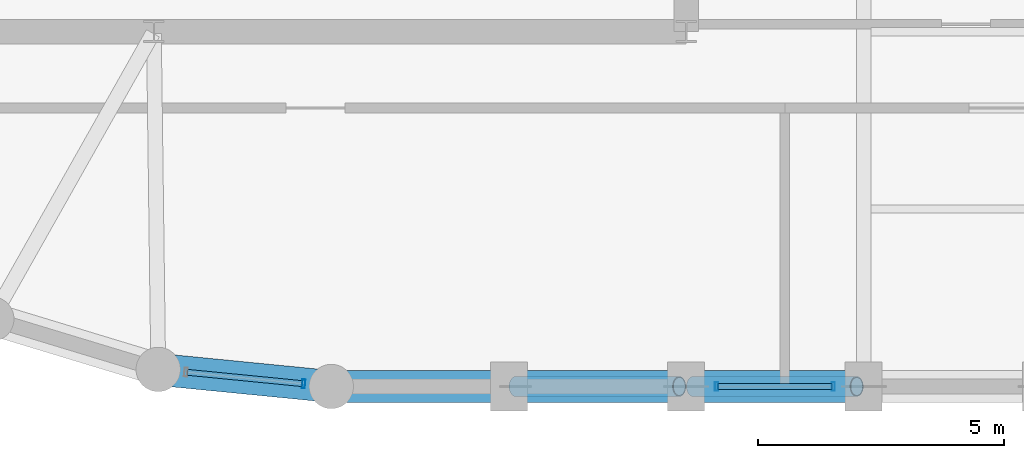
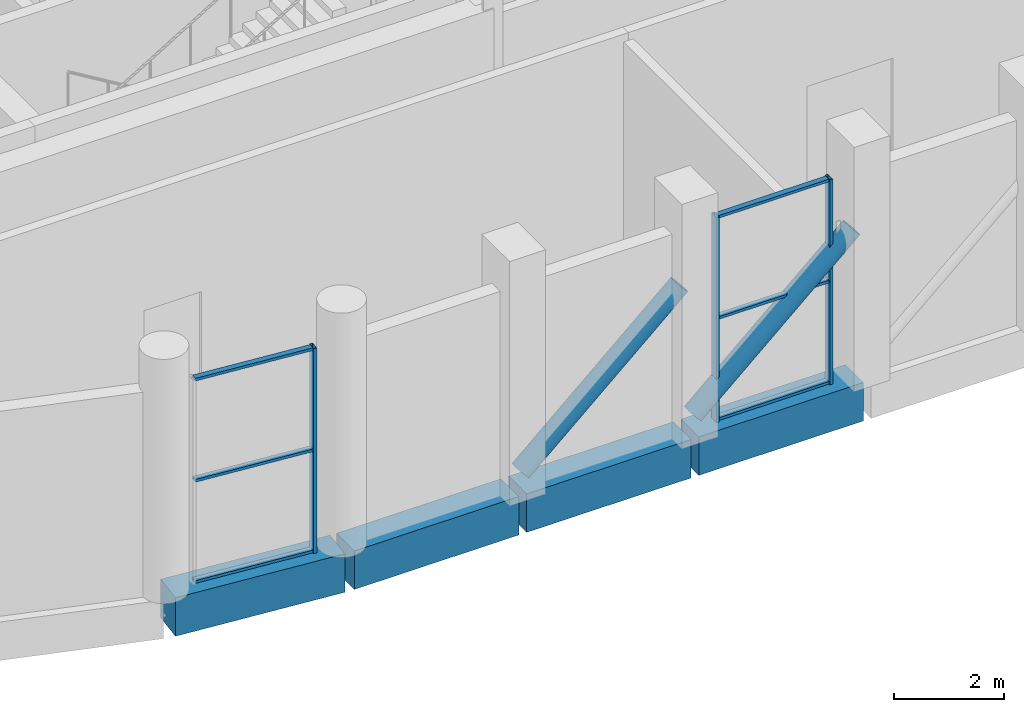
# One storey, part 4 of 19: 11 members, 4 beams, 2 elements without a shape of their own.
"""IFC4 building model written with IfcOpenShell, lengths in metres."""

from ifc_helpers import new_model, si_unit, direction, frame, origin, origin_2d, place, context, subcontext, project, spatial, rectangle, hollow_rectangle, hollow_circle, extrude, material, layer, layer_set, material_profile, profile_set, type_object, element, aggregate, save


model = new_model("IFC4")

# Units and contexts
model_context = context("Model", 3, precision=1e-05, world=origin(), true_north=direction((0.0, 1.0)))
body_context = subcontext(model_context, "Body", "Model", "MODEL_VIEW")
ifc_project = project(units=[si_unit("LENGTHUNIT", "METRE"), si_unit("AREAUNIT", "SQUARE_METRE"), si_unit("VOLUMEUNIT", "CUBIC_METRE"), si_unit("PLANEANGLEUNIT", "RADIAN"), si_unit("MASSUNIT", "GRAM", prefix="KILO")], contexts=[model_context])

# Site, building, storey
site_placement = place(None, origin())
site = spatial("IfcSite", under=ifc_project, at=site_placement, CompositionType="ELEMENT")
building_placement = place(site_placement, origin())
building = spatial("IfcBuilding", under=site, at=building_placement, Name="Solnavia Interchange Tower", CompositionType="ELEMENT")
storey_placement = place(building_placement, frame((0.0, 0.0, 169.39990234375)))
storey = spatial("IfcBuildingStorey", under=building, at=storey_placement, Name="L42", CompositionType="ELEMENT", Elevation=169.39990234375)

# Beams
ifc_material_1 = material(Name="Concrete C50/60", Category="concrete")
ifc_material_profile_1 = material_profile(ifc_material_1, rectangle(XDim=0.64990234375, YDim=0.85009765625, at=origin_2d()), Name="RC 650x850")
ifc_profile_set_1 = profile_set([ifc_material_profile_1], Name="Concrete C50/60")
beam_type = type_object("IfcBeamType", Name="Beam-Spandrel-RC650x850", PredefinedType="SPANDREL", material=ifc_profile_set_1)
beam_1_placement = place(storey_placement, frame((21.767578125, 3.938232421875, -0.4248046875), z_axis=(0.995181774609, -0.098047108501, 0.0), x_axis=(0.098047108501, 0.995181774609, 0.0)))
element("IfcBeam", 1, at=beam_1_placement, inside=storey, type_object=beam_type, Name="SPB-L42-08 Framed-tube perimeter spandrel beam", PredefinedType="SPANDREL", context=body_context, shape_type="SweptSolid", body=[
    extrude(rectangle(XDim=0.64990234375, YDim=0.85009765625, at=origin_2d()), origin(), (0.0, 0.0, 1.0), 3.368896484375),
])
beam_2_placement = place(storey_placement, frame((25.280029296875, 3.60009765625, -0.4248046875), z_axis=(1.0, 0.0, 0.0), x_axis=(0.0, 1.0, 0.0)))
element("IfcBeam", 2, at=beam_2_placement, inside=storey, type_object=beam_type, Name="SPB-L42-09 Framed-tube perimeter spandrel beam", PredefinedType="SPANDREL", context=body_context, shape_type="SweptSolid", body=[
    extrude(rectangle(XDim=0.64990234375, YDim=0.85009765625, at=origin_2d()), origin(), (0.0, 0.0, 1.0), 3.43994140625),
])
beam_3_placement = place(storey_placement, frame((28.8798828125, 3.60009765625, -0.4248046875), z_axis=(1.0, 0.0, 0.0), x_axis=(0.0, 1.0, 0.0)))
element("IfcBeam", 3, at=beam_3_placement, inside=storey, type_object=beam_type, Name="SPB-L42-10 Framed-tube perimeter spandrel beam", PredefinedType="SPANDREL", context=body_context, shape_type="SweptSolid", body=[
    extrude(rectangle(XDim=0.64990234375, YDim=0.85009765625, at=origin_2d()), origin(), (0.0, 0.0, 1.0), 3.440185546875),
])
beam_4_placement = place(storey_placement, frame((32.47998046875, 3.60009765625, -0.4248046875), z_axis=(1.0, 0.0, 0.0), x_axis=(0.0, 1.0, 0.0)))
element("IfcBeam", 4, at=beam_4_placement, inside=storey, type_object=beam_type, Name="SPB-L42-11 Framed-tube perimeter spandrel beam", PredefinedType="SPANDREL", context=body_context, shape_type="SweptSolid", body=[
    extrude(rectangle(XDim=0.64990234375, YDim=0.85009765625, at=origin_2d()), origin(), (0.0, 0.0, 1.0), 3.43994140625),
])

# Curtain wall, members
ifc_material_2 = material(Name="Aluminium Alloy 6063-T6", Category="aluminium")
ifc_layer = layer(ifc_material_2, 0.199951171875)
ifc_layer_set = layer_set([ifc_layer], Name="Aluminium Alloy 6063-T6")
curtain_wall_type = type_object("IfcCurtainWallType", Name="CurtainWall-Louvre-CTW5", PredefinedType="NOTDEFINED", material=ifc_layer_set)
curtain_wall_1_placement = place(storey_placement, origin())
curtain_wall_1 = element("IfcCurtainWall", 5, at=curtain_wall_1_placement, inside=storey, type_object=curtain_wall_type, Name="CTW-L42-L03 CTW-5 curtain wall", PredefinedType="NOTDEFINED")
ifc_material_profile_2 = material_profile(ifc_material_2, hollow_rectangle(XDim=0.06494140625, YDim=0.179931640625, WallThickness=0.00439453125, at=origin_2d()), Name="ALU 180x65x4.5")
ifc_profile_set_2 = profile_set([ifc_material_profile_2], Name="Aluminium Alloy 6063-T6")
member_type_1 = type_object("IfcMemberType", Name="CW-Mullion-CWM-5", PredefinedType="MULLION", material=ifc_profile_set_2)
member_1_placement = place(storey_placement, frame((33.014892578125, 3.60009765625, 0.0), z_axis=(0.0, 0.0, 1.0), x_axis=(1.0, 0.0, 0.0)))
member_1 = element("IfcMember", 6, at=member_1_placement, type_object=member_type_1, Name="CTW-5 mullion 1", PredefinedType="MULLION", context=body_context, shape_type="SweptSolid", body=[
    extrude(hollow_rectangle(XDim=0.06494140625, YDim=0.179931640625, WallThickness=0.00439453125, at=origin_2d()), origin(), (0.0, 0.0, 1.0), 4.530029296875),
])
member_2_placement = place(storey_placement, frame((35.385009765625, 3.60009765625, 0.0), z_axis=(0.0, 0.0, 1.0), x_axis=(1.0, 0.0, 0.0)))
member_2 = element("IfcMember", 7, at=member_2_placement, type_object=member_type_1, Name="CTW-5 mullion 2", PredefinedType="MULLION", context=body_context, shape_type="SweptSolid", body=[
    extrude(hollow_rectangle(XDim=0.06494140625, YDim=0.179931640625, WallThickness=0.00439453125, at=origin_2d()), origin(), (0.0, 0.0, 1.0), 4.530029296875),
])

# Curtain wall, member
curtain_wall_2_placement = place(storey_placement, origin())
curtain_wall_2 = element("IfcCurtainWall", 8, at=curtain_wall_2_placement, inside=storey, type_object=curtain_wall_type, Name="CTW-L42-L54 CTW-5 curtain wall", PredefinedType="NOTDEFINED")
member_3_placement = place(storey_placement, frame((24.6376953125, 3.6552734375, 0.0), z_axis=(0.0, 0.0, 1.0), x_axis=(0.99518158372, -0.098049046011, 0.0)))
member_3 = element("IfcMember", 9, at=member_3_placement, type_object=member_type_1, Name="CTW-5 mullion 2", PredefinedType="MULLION", context=body_context, shape_type="SweptSolid", body=[
    extrude(hollow_rectangle(XDim=0.06494140625, YDim=0.179931640625, WallThickness=0.00439453125, at=origin_2d()), origin(), (0.0, 0.0, 1.0), 4.530029296875),
])

# Member
ifc_material_profile_3 = material_profile(ifc_material_2, hollow_rectangle(XDim=0.06005859375, YDim=0.1201171875, WallThickness=0.00390625, at=origin_2d()), Name="ALU 120x60x4")
ifc_profile_set_3 = profile_set([ifc_material_profile_3], Name="Aluminium Alloy 6063-T6")
member_type_2 = type_object("IfcMemberType", Name="CW-Transom-CWT-5", PredefinedType="USERDEFINED", material=ifc_profile_set_3)
member_4_placement = place(storey_placement, frame((33.047607421875, 3.60009765625, 0.030029296875), z_axis=(1.0, 0.0, 0.0), x_axis=(0.0, 0.0, 1.0)))
member_4 = element("IfcMember", 10, at=member_4_placement, type_object=member_type_2, Name="CTW-5 transom 1.1", ObjectType="TRANSOM", PredefinedType="USERDEFINED", context=body_context, shape_type="SweptSolid", body=[
    extrude(hollow_rectangle(XDim=0.06005859375, YDim=0.1201171875, WallThickness=0.00390625, at=origin_2d()), origin(), (0.0, 0.0, 1.0), 2.304931640625),
])

member_5_placement = place(storey_placement, frame((33.047607421875, 3.60009765625, 2.26513671875), z_axis=(1.0, 0.0, 0.0), x_axis=(0.0, 0.0, 1.0)))
member_5 = element("IfcMember", 11, at=member_5_placement, type_object=member_type_2, Name="CTW-5 transom 1.2", ObjectType="TRANSOM", PredefinedType="USERDEFINED", context=body_context, shape_type="SweptSolid", body=[
    extrude(hollow_rectangle(XDim=0.06005859375, YDim=0.1201171875, WallThickness=0.00390625, at=origin_2d()), origin(), (0.0, 0.0, 1.0), 2.304931640625),
])

member_6_placement = place(storey_placement, frame((33.047607421875, 3.60009765625, 4.5), z_axis=(1.0, 0.0, 0.0), x_axis=(0.0, 0.0, 1.0)))
member_6 = element("IfcMember", 12, at=member_6_placement, type_object=member_type_2, Name="CTW-5 transom 1.3", ObjectType="TRANSOM", PredefinedType="USERDEFINED", context=body_context, shape_type="SweptSolid", body=[
    extrude(hollow_rectangle(XDim=0.06005859375, YDim=0.1201171875, WallThickness=0.00390625, at=origin_2d()), origin(), (0.0, 0.0, 1.0), 2.304931640625),
])

aggregate(curtain_wall_1, [member_1, member_2, member_4, member_5, member_6])

member_7_placement = place(storey_placement, frame((22.282470703125, 3.887451171875, 0.030029296875), z_axis=(0.995186213074, -0.098002047467, 0.0), x_axis=(0.0, 0.0, 1.0)))
member_7 = element("IfcMember", 13, at=member_7_placement, type_object=member_type_2, Name="CTW-5 transom 1.1", ObjectType="TRANSOM", PredefinedType="USERDEFINED", context=body_context, shape_type="SweptSolid", body=[
    extrude(hollow_rectangle(XDim=0.06005859375, YDim=0.1201171875, WallThickness=0.00390625, at=origin_2d()), origin(), (0.0, 0.0, 1.0), 2.334228515625),
])

member_8_placement = place(storey_placement, frame((22.282470703125, 3.887451171875, 2.26513671875), z_axis=(0.995186213074, -0.098002047467, 0.0), x_axis=(0.0, 0.0, 1.0)))
member_8 = element("IfcMember", 14, at=member_8_placement, type_object=member_type_2, Name="CTW-5 transom 1.2", ObjectType="TRANSOM", PredefinedType="USERDEFINED", context=body_context, shape_type="SweptSolid", body=[
    extrude(hollow_rectangle(XDim=0.06005859375, YDim=0.1201171875, WallThickness=0.00390625, at=origin_2d()), origin(), (0.0, 0.0, 1.0), 2.334228515625),
])

member_9_placement = place(storey_placement, frame((22.282470703125, 3.887451171875, 4.5), z_axis=(0.995186213074, -0.098002047467, 0.0), x_axis=(0.0, 0.0, 1.0)))
member_9 = element("IfcMember", 15, at=member_9_placement, type_object=member_type_2, Name="CTW-5 transom 1.3", ObjectType="TRANSOM", PredefinedType="USERDEFINED", context=body_context, shape_type="SweptSolid", body=[
    extrude(hollow_rectangle(XDim=0.06005859375, YDim=0.1201171875, WallThickness=0.00390625, at=origin_2d()), origin(), (0.0, 0.0, 1.0), 2.334228515625),
])

aggregate(curtain_wall_2, [member_3, member_7, member_8, member_9])

# Members
ifc_material_3 = material(Name="Steel S460", Category="steel")
ifc_material_profile_4 = material_profile(ifc_material_3, hollow_circle(Radius=0.203125, WallThickness=0.02001953125, at=origin_2d()), Name="CHS 406.4x20")
ifc_profile_set_4 = profile_set([ifc_material_profile_4], Name="Steel S460")
member_type_3 = type_object("IfcMemberType", Name="Outrigger-Diag-CHS406", PredefinedType="BRACE", material=ifc_profile_set_4)
for number, where, z_axis, x_axis, name in (
    (16, (28.93994140625, 3.60009765625, 0.300048828125), (0.747545781752, 0.0, 0.664210286118), (0.0, 1.0, 0.0), "OTR-L42-BT01 Belt truss diagonal"),
    (17, (32.5400390625, 3.60009765625, 0.300048828125), (0.747545781752, 0.0, 0.664210286118), (0.0, 1.0, 0.0), "OTR-L42-BT02 Belt truss diagonal"),
):
    element("IfcMember", number, at=place(storey_placement, frame(where, z_axis=z_axis, x_axis=x_axis)), inside=storey, type_object=member_type_3, Name=name, PredefinedType="BRACE", context=body_context, shape_type="SweptSolid", body=[
        extrude(hollow_circle(Radius=0.203125, WallThickness=0.02001953125, at=origin_2d()), origin(), (0.0, 0.0, 1.0), 4.44140625),
    ])

save(model, "model.ifc")
